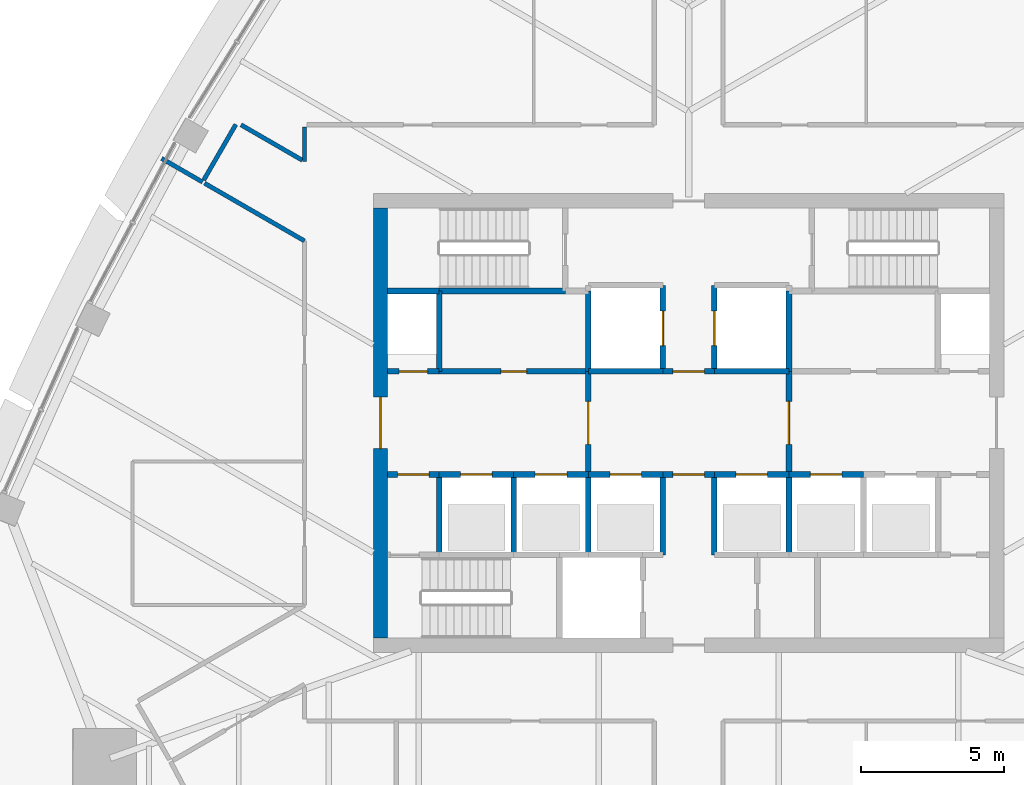
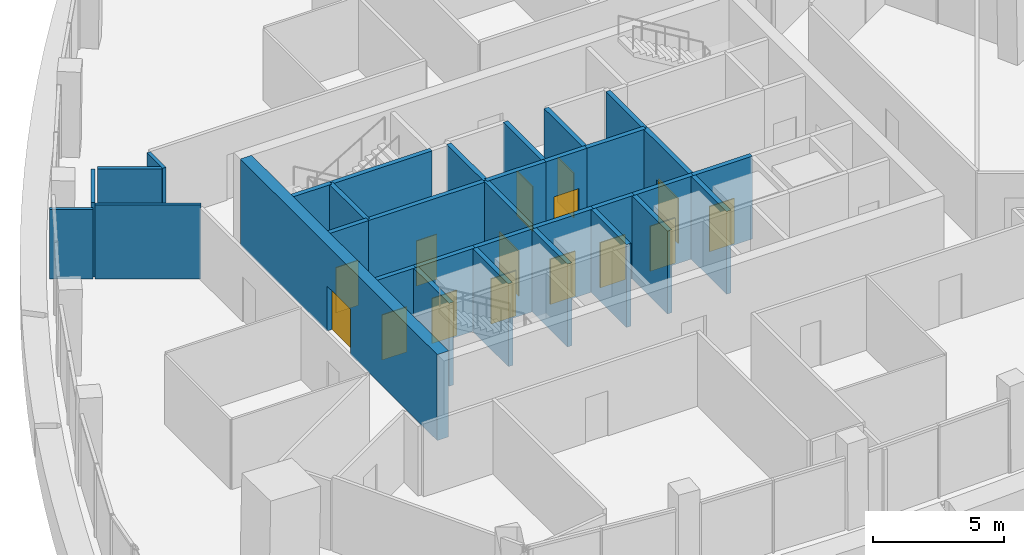
# One storey, part 9 of 15: 33 walls, 15 doors, 15 openings.
"""IFC4 building model written with IfcOpenShell, lengths in metres."""

from ifc_helpers import new_model, si_unit, direction, frame, frame_2d, origin, place, context, subcontext, project, spatial, rectangle, extrude, material, layer, layer_set, type_object, element, fill, save


model = new_model("IFC4")

# Units and contexts
model_context = context("Model", 3, precision=1e-05, world=origin(), true_north=direction((0.0, 1.0)))
body_context = subcontext(model_context, "Body", "Model", "MODEL_VIEW")
ifc_project = project(units=[si_unit("LENGTHUNIT", "METRE"), si_unit("AREAUNIT", "SQUARE_METRE"), si_unit("VOLUMEUNIT", "CUBIC_METRE"), si_unit("PLANEANGLEUNIT", "RADIAN"), si_unit("MASSUNIT", "GRAM", prefix="KILO")], contexts=[model_context])

# Site, building, storey
site_placement = place(None, origin())
site = spatial("IfcSite", under=ifc_project, at=site_placement, CompositionType="ELEMENT")
building_placement = place(site_placement, origin())
building = spatial("IfcBuilding", under=site, at=building_placement, Name="Sierra Prisma Convention Tower", CompositionType="ELEMENT")
storey_placement = place(building_placement, frame((0.0, 0.0, 299.0)))
storey = spatial("IfcBuildingStorey", under=building, at=storey_placement, Name="L68", CompositionType="ELEMENT", Elevation=299.0)

# Wall, opening, door
ifc_material_1 = material(Name="Concrete C30/37", Category="concrete")
ifc_layer_1 = layer(ifc_material_1, 0.199951171875)
ifc_layer_set_1 = layer_set([ifc_layer_1], Name="Core wall RC 200 C30/37")
wall_type_1 = type_object("IfcWallType", Name="Core wall RC 200 C30/37", PredefinedType="SOLIDWALL", material=ifc_layer_set_1)
wall_1_placement = place(storey_placement, frame((-10.5, -1.800048828125, 0.0), z_axis=(0.0, 0.0, 1.0), x_axis=(1.0, 0.0, 0.0)))
wall_1 = element("IfcWall", 1, at=wall_1_placement, inside=storey, type_object=wall_type_1, Name="Core wall L68 2", PredefinedType="SOLIDWALL", context=body_context, shape_type="SweptSolid", body=[
    extrude(rectangle(XDim=1.800048828125, YDim=0.199951171875, at=frame_2d((0.89990234375, 0.0))), origin(), (0.0, 0.0, 1.0), 3.85009765625),
])
opening_1_placement = place(wall_1_placement, frame((0.35009765625, 0.0, 0.0)))
opening_1 = element("IfcOpeningElement", 2, at=opening_1_placement, cuts=wall_1, Name="Opening L68-D012", PredefinedType="OPENING", context=body_context, shape_type="SweptSolid", body=[
    extrude(rectangle(XDim=1.10009765625, YDim=2.10009765625, at=frame_2d((0.550048828125, 1.050048828125))), frame((0.0, 0.10009765625, 0.0), z_axis=(0.0, -1.0, 0.0), x_axis=(1.0, 0.0, 0.0)), (0.0, 0.0, 1.0), 0.199951171875),
])
ifc_material_2 = material(Name="Steel fire door leaf", Category="steel")
door_type_1 = type_object("IfcDoorType", Name="Door 1100x2100 FD90S", OperationType="SINGLE_SWING_LEFT", PredefinedType="DOOR", material=ifc_material_2)
door_1_placement = place(opening_1_placement, origin())
door_1 = element("IfcDoor", 3, at=door_1_placement, inside=storey, type_object=door_type_1, Name="Door L68 25", OperationType="SINGLE_SWING_RIGHT", OverallHeight=2.10009765625, OverallWidth=1.10009765625, PredefinedType="DOOR", context=body_context, shape_type="SweptSolid", body=[
    extrude(rectangle(XDim=1.10009765625, YDim=2.10009765625, at=frame_2d((0.550048828125, 1.050048828125))), frame((0.0, 0.02490234375, 0.0), z_axis=(0.0, -1.0, 0.0), x_axis=(1.0, 0.0, 0.0)), (0.0, 0.0, 1.0), 0.050048828125),
])
fill(opening_1, door_1)

wall_2_placement = place(storey_placement, frame((-8.699951171875, 1.800048828125, 0.0), z_axis=(0.0, 0.0, 1.0), x_axis=(-1.0, 0.0, 0.0)))
wall_2 = element("IfcWall", 4, at=wall_2_placement, inside=storey, type_object=wall_type_1, Name="Core wall L68 3", PredefinedType="SOLIDWALL", context=body_context, shape_type="SweptSolid", body=[
    extrude(rectangle(XDim=1.800048828125, YDim=0.199951171875, at=frame_2d((0.89990234375, 0.0))), origin(), (0.0, 0.0, 1.0), 3.85009765625),
])
opening_2_placement = place(wall_2_placement, frame((0.39990234375, 0.0, 0.0)))
opening_2 = element("IfcOpeningElement", 5, at=opening_2_placement, cuts=wall_2, Name="Opening L68-D015", PredefinedType="OPENING", context=body_context, shape_type="SweptSolid", body=[
    extrude(rectangle(XDim=1.0, YDim=2.10009765625, at=frame_2d((0.5, 1.050048828125))), frame((0.0, 0.10009765625, 0.0), z_axis=(0.0, -1.0, 0.0), x_axis=(1.0, 0.0, 0.0)), (0.0, 0.0, 1.0), 0.199951171875),
])
ifc_material_3 = material(Name="Steel fire door leaf", Category="steel")
door_type_2 = type_object("IfcDoorType", Name="Door 1000x2100 FD60S", OperationType="SINGLE_SWING_LEFT", PredefinedType="DOOR", material=ifc_material_3)
door_2_placement = place(opening_2_placement, origin())
door_2 = element("IfcDoor", 6, at=door_2_placement, inside=storey, type_object=door_type_2, Name="Door L68 28", OperationType="SINGLE_SWING_LEFT", OverallHeight=2.10009765625, OverallWidth=1.0, PredefinedType="DOOR", context=body_context, shape_type="SweptSolid", body=[
    extrude(rectangle(XDim=1.0, YDim=2.10009765625, at=frame_2d((0.5, 1.050048828125))), frame((0.0, 0.02490234375, 0.0), z_axis=(0.0, -1.0, 0.0), x_axis=(1.0, 0.0, 0.0)), (0.0, 0.0, 1.0), 0.050048828125),
])
fill(opening_2, door_2)

# Walls
wall_3_placement = place(storey_placement, frame((-8.699951171875, 4.60009765625, 0.0), z_axis=(0.0, 0.0, 1.0), x_axis=(-1.0, 0.0, 0.0)))
element("IfcWall", 7, at=wall_3_placement, inside=storey, type_object=wall_type_1, Name="Core wall L68 4", PredefinedType="SOLIDWALL", context=body_context, shape_type="SweptSolid", body=[
    extrude(rectangle(XDim=1.800048828125, YDim=0.199951171875, at=frame_2d((0.89990234375, 0.0))), origin(), (0.0, 0.0, 1.0), 3.85009765625),
])
wall_4_placement = place(storey_placement, frame((-8.699951171875, -4.60009765625, 0.0), z_axis=(0.0, 0.0, 1.0), x_axis=(0.0, 1.0, 0.0)))
element("IfcWall", 8, at=wall_4_placement, inside=storey, type_object=wall_type_1, Name="Core wall L68 6", PredefinedType="SOLIDWALL", context=body_context, shape_type="SweptSolid", body=[
    extrude(rectangle(XDim=2.800048828125, YDim=0.199951171875, at=frame_2d((1.39990234375, 0.0))), origin(), (0.0, 0.0, 1.0), 3.85009765625),
])

# Wall, opening, door
wall_5_placement = place(storey_placement, frame((-8.699951171875, -1.800048828125, 0.0), z_axis=(0.0, 0.0, 1.0), x_axis=(1.0, 0.0, 0.0)))
wall_5 = element("IfcWall", 9, at=wall_5_placement, inside=storey, type_object=wall_type_1, Name="Core wall L68 7", PredefinedType="SOLIDWALL", context=body_context, shape_type="SweptSolid", body=[
    extrude(rectangle(XDim=2.599853515625, YDim=0.199951171875, at=frame_2d((1.2998046875, 0.0))), origin(), (0.0, 0.0, 1.0), 3.85009765625),
])
opening_3_placement = place(wall_5_placement, frame((0.75, 0.0, 0.0)))
opening_3 = element("IfcOpeningElement", 10, at=opening_3_placement, cuts=wall_5, Name="Opening L68-D001", PredefinedType="OPENING", context=body_context, shape_type="SweptSolid", body=[
    extrude(rectangle(XDim=1.10009765625, YDim=2.10009765625, at=frame_2d((0.550048828125, 1.050048828125))), frame((0.0, 0.10009765625, 0.0), z_axis=(0.0, -1.0, 0.0), x_axis=(1.0, 0.0, 0.0)), (0.0, 0.0, 1.0), 0.199951171875),
])
ifc_material_4 = material(Name="Steel fire door leaf", Category="steel")
door_type_3 = type_object("IfcDoorType", Name="Door 1100x2100 EI 90 sliding lift landing", OperationType="SLIDING_TO_LEFT", PredefinedType="DOOR", material=ifc_material_4)
door_3_placement = place(opening_3_placement, origin())
door_3 = element("IfcDoor", 11, at=door_3_placement, inside=storey, type_object=door_type_3, Name="Door L68 14", OperationType="SLIDING_TO_LEFT", OverallHeight=2.10009765625, OverallWidth=1.10009765625, PredefinedType="DOOR", context=body_context, shape_type="SweptSolid", body=[
    extrude(rectangle(XDim=1.10009765625, YDim=2.10009765625, at=frame_2d((0.550048828125, 1.050048828125))), frame((0.0, 0.02490234375, 0.0), z_axis=(0.0, -1.0, 0.0), x_axis=(1.0, 0.0, 0.0)), (0.0, 0.0, 1.0), 0.050048828125),
])
fill(opening_3, door_3)

wall_6_placement = place(storey_placement, frame((-8.699951171875, 1.800048828125, 0.0), z_axis=(0.0, 0.0, 1.0), x_axis=(1.0, 0.0, 0.0)))
wall_6 = element("IfcWall", 12, at=wall_6_placement, inside=storey, type_object=wall_type_1, Name="Core wall L68 8", PredefinedType="SOLIDWALL", context=body_context, shape_type="SweptSolid", body=[
    extrude(rectangle(XDim=5.199951171875, YDim=0.199951171875, at=frame_2d((2.60009765625, 0.0))), origin(), (0.0, 0.0, 1.0), 3.85009765625),
])
opening_4_placement = place(wall_6_placement, frame((2.14990234375, 0.0, 0.0)))
opening_4 = element("IfcOpeningElement", 13, at=opening_4_placement, cuts=wall_6, Name="Opening L68-D021", PredefinedType="OPENING", context=body_context, shape_type="SweptSolid", body=[
    extrude(rectangle(XDim=0.89990234375, YDim=2.10009765625, at=frame_2d((0.449951171875, 1.050048828125))), frame((0.0, 0.10009765625, 0.0), z_axis=(0.0, -1.0, 0.0), x_axis=(1.0, 0.0, 0.0)), (0.0, 0.0, 1.0), 0.199951171875),
])
ifc_material_5 = material(Name="Steel fire door leaf", Category="steel")
door_type_4 = type_object("IfcDoorType", Name="Door 900x2100 FD30S", OperationType="SINGLE_SWING_LEFT", PredefinedType="DOOR", material=ifc_material_5)
door_4_placement = place(opening_4_placement, origin())
door_4 = element("IfcDoor", 14, at=door_4_placement, inside=storey, type_object=door_type_4, Name="Door L68 34", OperationType="SINGLE_SWING_LEFT", OverallHeight=2.10009765625, OverallWidth=0.89990234375, PredefinedType="DOOR", context=body_context, shape_type="SweptSolid", body=[
    extrude(rectangle(XDim=0.89990234375, YDim=2.10009765625, at=frame_2d((0.449951171875, 1.050048828125))), frame((0.0, 0.02490234375, 0.0), z_axis=(0.0, -1.0, 0.0), x_axis=(1.0, 0.0, 0.0)), (0.0, 0.0, 1.0), 0.050048828125),
])
fill(opening_4, door_4)

# Walls
wall_7_placement = place(storey_placement, frame((-8.699951171875, 4.60009765625, 0.0), z_axis=(0.0, 0.0, 1.0), x_axis=(0.0, -1.0, 0.0)))
element("IfcWall", 15, at=wall_7_placement, inside=storey, type_object=wall_type_1, Name="Core wall L68 9", PredefinedType="SOLIDWALL", context=body_context, shape_type="SweptSolid", body=[
    extrude(rectangle(XDim=2.800048828125, YDim=0.199951171875, at=frame_2d((1.39990234375, 0.0))), origin(), (0.0, 0.0, 1.0), 3.85009765625),
])
wall_8_placement = place(storey_placement, frame((-4.300048828125, 4.60009765625, 0.0), z_axis=(0.0, 0.0, 1.0), x_axis=(-1.0, 0.0, 0.0)))
element("IfcWall", 16, at=wall_8_placement, inside=storey, type_object=wall_type_1, Name="Core wall L68 10", PredefinedType="SOLIDWALL", context=body_context, shape_type="SweptSolid", body=[
    extrude(rectangle(XDim=4.39990234375, YDim=0.199951171875, at=frame_2d((2.199951171875, 0.0))), origin(), (0.0, 0.0, 1.0), 3.85009765625),
])
wall_9_placement = place(storey_placement, frame((-6.10009765625, -4.60009765625, 0.0), z_axis=(0.0, 0.0, 1.0), x_axis=(0.0, 1.0, 0.0)))
element("IfcWall", 17, at=wall_9_placement, inside=storey, type_object=wall_type_1, Name="Core wall L68 12", PredefinedType="SOLIDWALL", context=body_context, shape_type="SweptSolid", body=[
    extrude(rectangle(XDim=2.800048828125, YDim=0.199951171875, at=frame_2d((1.39990234375, 0.0))), origin(), (0.0, 0.0, 1.0), 3.85009765625),
])

# Wall, opening, door
wall_10_placement = place(storey_placement, frame((-6.10009765625, -1.800048828125, 0.0), z_axis=(0.0, 0.0, 1.0), x_axis=(1.0, 0.0, 0.0)))
wall_10 = element("IfcWall", 18, at=wall_10_placement, inside=storey, type_object=wall_type_1, Name="Core wall L68 13", PredefinedType="SOLIDWALL", context=body_context, shape_type="SweptSolid", body=[
    extrude(rectangle(XDim=2.60009765625, YDim=0.199951171875, at=frame_2d((1.300048828125, 0.0))), origin(), (0.0, 0.0, 1.0), 3.85009765625),
])
opening_5_placement = place(wall_10_placement, frame((0.75, 0.0, 0.0)))
opening_5 = element("IfcOpeningElement", 19, at=opening_5_placement, cuts=wall_10, Name="Opening L68-D002", PredefinedType="OPENING", context=body_context, shape_type="SweptSolid", body=[
    extrude(rectangle(XDim=1.10009765625, YDim=2.10009765625, at=frame_2d((0.550048828125, 1.050048828125))), frame((0.0, 0.10009765625, 0.0), z_axis=(0.0, -1.0, 0.0), x_axis=(1.0, 0.0, 0.0)), (0.0, 0.0, 1.0), 0.199951171875),
])
door_5_placement = place(opening_5_placement, origin())
door_5 = element("IfcDoor", 20, at=door_5_placement, inside=storey, type_object=door_type_3, Name="Door L68 15", OperationType="SLIDING_TO_RIGHT", OverallHeight=2.10009765625, OverallWidth=1.10009765625, PredefinedType="DOOR", context=body_context, shape_type="SweptSolid", body=[
    extrude(rectangle(XDim=1.10009765625, YDim=2.10009765625, at=frame_2d((0.550048828125, 1.050048828125))), frame((0.0, 0.02490234375, 0.0), z_axis=(0.0, -1.0, 0.0), x_axis=(1.0, 0.0, 0.0)), (0.0, 0.0, 1.0), 0.050048828125),
])
fill(opening_5, door_5)

# Wall
wall_11_placement = place(storey_placement, frame((-3.5, -4.60009765625, 0.0), z_axis=(0.0, 0.0, 1.0), x_axis=(0.0, 1.0, 0.0)))
element("IfcWall", 21, at=wall_11_placement, inside=storey, type_object=wall_type_1, Name="Core wall L68 19", PredefinedType="SOLIDWALL", context=body_context, shape_type="SweptSolid", body=[
    extrude(rectangle(XDim=2.800048828125, YDim=0.199951171875, at=frame_2d((1.39990234375, 0.0))), origin(), (0.0, 0.0, 1.0), 3.85009765625),
])

# Wall, opening, door
wall_12_placement = place(storey_placement, frame((-3.5, -1.800048828125, 0.0), z_axis=(0.0, 0.0, 1.0), x_axis=(1.0, 0.0, 0.0)))
wall_12 = element("IfcWall", 22, at=wall_12_placement, inside=storey, type_object=wall_type_1, Name="Core wall L68 20", PredefinedType="SOLIDWALL", context=body_context, shape_type="SweptSolid", body=[
    extrude(rectangle(XDim=2.60009765625, YDim=0.199951171875, at=frame_2d((1.300048828125, 0.0))), origin(), (0.0, 0.0, 1.0), 3.85009765625),
])
opening_6_placement = place(wall_12_placement, frame((0.75, 0.0, 0.0)))
opening_6 = element("IfcOpeningElement", 23, at=opening_6_placement, cuts=wall_12, Name="Opening L68-D003", PredefinedType="OPENING", context=body_context, shape_type="SweptSolid", body=[
    extrude(rectangle(XDim=1.10009765625, YDim=2.10009765625, at=frame_2d((0.550048828125, 1.050048828125))), frame((0.0, 0.10009765625, 0.0), z_axis=(0.0, -1.0, 0.0), x_axis=(1.0, 0.0, 0.0)), (0.0, 0.0, 1.0), 0.199951171875),
])
door_6_placement = place(opening_6_placement, origin())
door_6 = element("IfcDoor", 24, at=door_6_placement, inside=storey, type_object=door_type_3, Name="Door L68 16", OperationType="SLIDING_TO_LEFT", OverallHeight=2.10009765625, OverallWidth=1.10009765625, PredefinedType="DOOR", context=body_context, shape_type="SweptSolid", body=[
    extrude(rectangle(XDim=1.10009765625, YDim=2.10009765625, at=frame_2d((0.550048828125, 1.050048828125))), frame((0.0, 0.02490234375, 0.0), z_axis=(0.0, -1.0, 0.0), x_axis=(1.0, 0.0, 0.0)), (0.0, 0.0, 1.0), 0.050048828125),
])
fill(opening_6, door_6)

wall_13_placement = place(storey_placement, frame((-3.5, 1.800048828125, 0.0), z_axis=(0.0, 0.0, 1.0), x_axis=(0.0, -1.0, 0.0)))
wall_13 = element("IfcWall", 25, at=wall_13_placement, inside=storey, type_object=wall_type_1, Name="Core wall L68 21", PredefinedType="SOLIDWALL", context=body_context, shape_type="SweptSolid", body=[
    extrude(rectangle(XDim=3.60009765625, YDim=0.199951171875, at=frame_2d((1.800048828125, 0.0))), origin(), (0.0, 0.0, 1.0), 3.85009765625),
])
opening_7_placement = place(wall_13_placement, frame((1.050048828125, 0.0, 0.0)))
opening_7 = element("IfcOpeningElement", 26, at=opening_7_placement, cuts=wall_13, Name="Opening L68-D010", PredefinedType="OPENING", context=body_context, shape_type="SweptSolid", body=[
    extrude(rectangle(XDim=1.5, YDim=2.10009765625, at=frame_2d((0.75, 1.050048828125))), frame((0.0, 0.10009765625, 0.0), z_axis=(0.0, -1.0, 0.0), x_axis=(1.0, 0.0, 0.0)), (0.0, 0.0, 1.0), 0.199951171875),
])
ifc_material_6 = material(Name="Steel fire door leaf", Category="steel")
door_type_5 = type_object("IfcDoorType", Name="Door 1500x2100 FD30S", OperationType="DOUBLE_DOOR_SINGLE_SWING", PredefinedType="DOOR", material=ifc_material_6)
door_7_placement = place(opening_7_placement, origin())
door_7 = element("IfcDoor", 27, at=door_7_placement, inside=storey, type_object=door_type_5, Name="Door L68 23", OperationType="DOUBLE_DOOR_SINGLE_SWING", OverallHeight=2.10009765625, OverallWidth=1.5, PredefinedType="DOOR", context=body_context, shape_type="SweptSolid", body=[
    extrude(rectangle(XDim=1.5, YDim=2.10009765625, at=frame_2d((0.75, 1.050048828125))), frame((0.0, 0.02490234375, 0.0), z_axis=(0.0, -1.0, 0.0), x_axis=(1.0, 0.0, 0.0)), (0.0, 0.0, 1.0), 0.050048828125),
])
fill(opening_7, door_7)

# Walls
wall_14_placement = place(storey_placement, frame((-0.89990234375, 1.800048828125, 0.0), z_axis=(0.0, 0.0, 1.0), x_axis=(-1.0, 0.0, 0.0)))
element("IfcWall", 28, at=wall_14_placement, inside=storey, type_object=wall_type_1, Name="Core wall L68 22", PredefinedType="SOLIDWALL", context=body_context, shape_type="SweptSolid", body=[
    extrude(rectangle(XDim=2.60009765625, YDim=0.199951171875, at=frame_2d((1.300048828125, 0.0))), origin(), (0.0, 0.0, 1.0), 3.85009765625),
])
wall_15_placement = place(storey_placement, frame((-3.5, 1.800048828125, 0.0), z_axis=(0.0, 0.0, 1.0), x_axis=(0.0, 1.0, 0.0)))
element("IfcWall", 29, at=wall_15_placement, inside=storey, type_object=wall_type_1, Name="Core wall L68 23", PredefinedType="SOLIDWALL", context=body_context, shape_type="SweptSolid", body=[
    extrude(rectangle(XDim=2.800048828125, YDim=0.199951171875, at=frame_2d((1.39990234375, 0.0))), origin(), (0.0, 0.0, 1.0), 3.85009765625),
])

# Wall, opening, door
wall_16_placement = place(storey_placement, frame((-0.89990234375, 1.800048828125, 0.0), z_axis=(0.0, 0.0, 1.0), x_axis=(0.0, 1.0, 0.0)))
wall_16 = element("IfcWall", 30, at=wall_16_placement, inside=storey, type_object=wall_type_1, Name="Core wall L68 24", PredefinedType="SOLIDWALL", context=body_context, shape_type="SweptSolid", body=[
    extrude(rectangle(XDim=3.0, YDim=0.199951171875, at=frame_2d((1.5, 0.0))), origin(), (0.0, 0.0, 1.0), 3.85009765625),
])
opening_8_placement = place(wall_16_placement, frame((0.89990234375, 0.0, 0.0)))
opening_8 = element("IfcOpeningElement", 31, at=opening_8_placement, cuts=wall_16, Name="Opening L68-D007", PredefinedType="OPENING", context=body_context, shape_type="SweptSolid", body=[
    extrude(rectangle(XDim=1.199951171875, YDim=2.10009765625, at=frame_2d((0.60009765625, 1.050048828125))), frame((0.0, 0.10009765625, 0.0), z_axis=(0.0, -1.0, 0.0), x_axis=(1.0, 0.0, 0.0)), (0.0, 0.0, 1.0), 0.199951171875),
])
ifc_material_7 = material(Name="Steel fire door leaf", Category="steel")
door_type_6 = type_object("IfcDoorType", Name="Door 1200x2100 EI 90 sliding lift landing", OperationType="SLIDING_TO_LEFT", PredefinedType="DOOR", material=ifc_material_7)
door_8_placement = place(opening_8_placement, origin())
door_8 = element("IfcDoor", 32, at=door_8_placement, inside=storey, type_object=door_type_6, Name="Door L68 20", OperationType="SLIDING_TO_LEFT", OverallHeight=2.10009765625, OverallWidth=1.199951171875, PredefinedType="DOOR", context=body_context, shape_type="SweptSolid", body=[
    extrude(rectangle(XDim=1.199951171875, YDim=2.10009765625, at=frame_2d((0.60009765625, 1.050048828125))), frame((0.0, 0.02490234375, 0.0), z_axis=(0.0, -1.0, 0.0), x_axis=(1.0, 0.0, 0.0)), (0.0, 0.0, 1.0), 0.050048828125),
])
fill(opening_8, door_8)

# Wall
wall_17_placement = place(storey_placement, frame((-0.89990234375, -4.60009765625, 0.0), z_axis=(0.0, 0.0, 1.0), x_axis=(0.0, 1.0, 0.0)))
element("IfcWall", 33, at=wall_17_placement, inside=storey, type_object=wall_type_1, Name="Core wall L68 29", PredefinedType="SOLIDWALL", context=body_context, shape_type="SweptSolid", body=[
    extrude(rectangle(XDim=2.800048828125, YDim=0.199951171875, at=frame_2d((1.39990234375, 0.0))), origin(), (0.0, 0.0, 1.0), 3.85009765625),
])

# Wall, opening, door
wall_18_placement = place(storey_placement, frame((-0.89990234375, -1.800048828125, 0.0), z_axis=(0.0, 0.0, 1.0), x_axis=(1.0, 0.0, 0.0)))
wall_18 = element("IfcWall", 34, at=wall_18_placement, inside=storey, type_object=wall_type_1, Name="Core wall L68 30", PredefinedType="SOLIDWALL", context=body_context, shape_type="SweptSolid", body=[
    extrude(rectangle(XDim=1.7998046875, YDim=0.199951171875, at=frame_2d((0.89990234375, 0.0))), origin(), (0.0, 0.0, 1.0), 3.85009765625),
])
opening_9_placement = place(wall_18_placement, frame((0.35009765625, 0.0, 0.0)))
opening_9 = element("IfcOpeningElement", 35, at=opening_9_placement, cuts=wall_18, Name="Opening L68-D014", PredefinedType="OPENING", context=body_context, shape_type="SweptSolid", body=[
    extrude(rectangle(XDim=1.10009765625, YDim=2.10009765625, at=frame_2d((0.550048828125, 1.050048828125))), frame((0.0, 0.10009765625, 0.0), z_axis=(0.0, -1.0, 0.0), x_axis=(1.0, 0.0, 0.0)), (0.0, 0.0, 1.0), 0.199951171875),
])
ifc_material_8 = material(Name="Steel fire door leaf", Category="steel")
door_type_7 = type_object("IfcDoorType", Name="Door 1100x2100 FD30S", OperationType="SINGLE_SWING_LEFT", PredefinedType="DOOR", material=ifc_material_8)
door_9_placement = place(opening_9_placement, origin())
door_9 = element("IfcDoor", 36, at=door_9_placement, inside=storey, type_object=door_type_7, Name="Door L68 27", OperationType="SINGLE_SWING_LEFT", OverallHeight=2.10009765625, OverallWidth=1.10009765625, PredefinedType="DOOR", context=body_context, shape_type="SweptSolid", body=[
    extrude(rectangle(XDim=1.10009765625, YDim=2.10009765625, at=frame_2d((0.550048828125, 1.050048828125))), frame((0.0, 0.02490234375, 0.0), z_axis=(0.0, -1.0, 0.0), x_axis=(1.0, 0.0, 0.0)), (0.0, 0.0, 1.0), 0.050048828125),
])
fill(opening_9, door_9)

wall_19_placement = place(storey_placement, frame((0.89990234375, 1.800048828125, 0.0), z_axis=(0.0, 0.0, 1.0), x_axis=(-1.0, 0.0, 0.0)))
wall_19 = element("IfcWall", 37, at=wall_19_placement, inside=storey, type_object=wall_type_1, Name="Core wall L68 31", PredefinedType="SOLIDWALL", context=body_context, shape_type="SweptSolid", body=[
    extrude(rectangle(XDim=1.7998046875, YDim=0.199951171875, at=frame_2d((0.89990234375, 0.0))), origin(), (0.0, 0.0, 1.0), 3.85009765625),
])
opening_10_placement = place(wall_19_placement, frame((0.35009765625, 0.0, 0.0)))
opening_10 = element("IfcOpeningElement", 38, at=opening_10_placement, cuts=wall_19, Name="Opening L68-D013", PredefinedType="OPENING", context=body_context, shape_type="SweptSolid", body=[
    extrude(rectangle(XDim=1.10009765625, YDim=2.10009765625, at=frame_2d((0.550048828125, 1.050048828125))), frame((0.0, 0.10009765625, 0.0), z_axis=(0.0, -1.0, 0.0), x_axis=(1.0, 0.0, 0.0)), (0.0, 0.0, 1.0), 0.199951171875),
])
ifc_material_9 = material(Name="Steel fire door leaf", Category="steel")
door_type_8 = type_object("IfcDoorType", Name="Door 1100x2100 FD60S", OperationType="SINGLE_SWING_LEFT", PredefinedType="DOOR", material=ifc_material_9)
door_10_placement = place(opening_10_placement, origin())
door_10 = element("IfcDoor", 39, at=door_10_placement, inside=storey, type_object=door_type_8, Name="Door L68 26", OperationType="SINGLE_SWING_RIGHT", OverallHeight=2.10009765625, OverallWidth=1.10009765625, PredefinedType="DOOR", context=body_context, shape_type="SweptSolid", body=[
    extrude(rectangle(XDim=1.10009765625, YDim=2.10009765625, at=frame_2d((0.550048828125, 1.050048828125))), frame((0.0, 0.02490234375, 0.0), z_axis=(0.0, -1.0, 0.0), x_axis=(1.0, 0.0, 0.0)), (0.0, 0.0, 1.0), 0.050048828125),
])
fill(opening_10, door_10)

wall_20_placement = place(storey_placement, frame((0.89990234375, -1.800048828125, 0.0), z_axis=(0.0, 0.0, 1.0), x_axis=(1.0, 0.0, 0.0)))
wall_20 = element("IfcWall", 40, at=wall_20_placement, inside=storey, type_object=wall_type_1, Name="Core wall L68 32", PredefinedType="SOLIDWALL", context=body_context, shape_type="SweptSolid", body=[
    extrude(rectangle(XDim=2.60009765625, YDim=0.199951171875, at=frame_2d((1.300048828125, 0.0))), origin(), (0.0, 0.0, 1.0), 3.85009765625),
])
opening_11_placement = place(wall_20_placement, frame((0.75, 0.0, 0.0)))
opening_11 = element("IfcOpeningElement", 41, at=opening_11_placement, cuts=wall_20, Name="Opening L68-D004", PredefinedType="OPENING", context=body_context, shape_type="SweptSolid", body=[
    extrude(rectangle(XDim=1.10009765625, YDim=2.10009765625, at=frame_2d((0.550048828125, 1.050048828125))), frame((0.0, 0.10009765625, 0.0), z_axis=(0.0, -1.0, 0.0), x_axis=(1.0, 0.0, 0.0)), (0.0, 0.0, 1.0), 0.199951171875),
])
door_11_placement = place(opening_11_placement, origin())
door_11 = element("IfcDoor", 42, at=door_11_placement, inside=storey, type_object=door_type_3, Name="Door L68 17", OperationType="SLIDING_TO_LEFT", OverallHeight=2.10009765625, OverallWidth=1.10009765625, PredefinedType="DOOR", context=body_context, shape_type="SweptSolid", body=[
    extrude(rectangle(XDim=1.10009765625, YDim=2.10009765625, at=frame_2d((0.550048828125, 1.050048828125))), frame((0.0, 0.02490234375, 0.0), z_axis=(0.0, -1.0, 0.0), x_axis=(1.0, 0.0, 0.0)), (0.0, 0.0, 1.0), 0.050048828125),
])
fill(opening_11, door_11)

# Walls
wall_21_placement = place(storey_placement, frame((0.89990234375, -1.800048828125, 0.0), z_axis=(0.0, 0.0, 1.0), x_axis=(0.0, -1.0, 0.0)))
element("IfcWall", 43, at=wall_21_placement, inside=storey, type_object=wall_type_1, Name="Core wall L68 33", PredefinedType="SOLIDWALL", context=body_context, shape_type="SweptSolid", body=[
    extrude(rectangle(XDim=2.800048828125, YDim=0.199951171875, at=frame_2d((1.39990234375, 0.0))), origin(), (0.0, 0.0, 1.0), 3.85009765625),
])
wall_22_placement = place(storey_placement, frame((3.5, 1.800048828125, 0.0), z_axis=(0.0, 0.0, 1.0), x_axis=(-1.0, 0.0, 0.0)))
element("IfcWall", 44, at=wall_22_placement, inside=storey, type_object=wall_type_1, Name="Core wall L68 35", PredefinedType="SOLIDWALL", context=body_context, shape_type="SweptSolid", body=[
    extrude(rectangle(XDim=2.60009765625, YDim=0.199951171875, at=frame_2d((1.300048828125, 0.0))), origin(), (0.0, 0.0, 1.0), 3.85009765625),
])

# Wall, opening, door
wall_23_placement = place(storey_placement, frame((0.89990234375, 4.800048828125, 0.0), z_axis=(0.0, 0.0, 1.0), x_axis=(0.0, -1.0, 0.0)))
wall_23 = element("IfcWall", 45, at=wall_23_placement, inside=storey, type_object=wall_type_1, Name="Core wall L68 38", PredefinedType="SOLIDWALL", context=body_context, shape_type="SweptSolid", body=[
    extrude(rectangle(XDim=3.0, YDim=0.199951171875, at=frame_2d((1.5, 0.0))), origin(), (0.0, 0.0, 1.0), 3.85009765625),
])
opening_12_placement = place(wall_23_placement, frame((0.89990234375, 0.0, 0.0)))
opening_12 = element("IfcOpeningElement", 46, at=opening_12_placement, cuts=wall_23, Name="Opening L68-D008", PredefinedType="OPENING", context=body_context, shape_type="SweptSolid", body=[
    extrude(rectangle(XDim=1.199951171875, YDim=2.10009765625, at=frame_2d((0.60009765625, 1.050048828125))), frame((0.0, 0.10009765625, 0.0), z_axis=(0.0, -1.0, 0.0), x_axis=(1.0, 0.0, 0.0)), (0.0, 0.0, 1.0), 0.199951171875),
])
door_12_placement = place(opening_12_placement, origin())
door_12 = element("IfcDoor", 47, at=door_12_placement, inside=storey, type_object=door_type_6, Name="Door L68 21", OperationType="SLIDING_TO_RIGHT", OverallHeight=2.10009765625, OverallWidth=1.199951171875, PredefinedType="DOOR", context=body_context, shape_type="SweptSolid", body=[
    extrude(rectangle(XDim=1.199951171875, YDim=2.10009765625, at=frame_2d((0.60009765625, 1.050048828125))), frame((0.0, 0.02490234375, 0.0), z_axis=(0.0, -1.0, 0.0), x_axis=(1.0, 0.0, 0.0)), (0.0, 0.0, 1.0), 0.050048828125),
])
fill(opening_12, door_12)

# Wall
wall_24_placement = place(storey_placement, frame((3.5, -4.60009765625, 0.0), z_axis=(0.0, 0.0, 1.0), x_axis=(0.0, 1.0, 0.0)))
element("IfcWall", 48, at=wall_24_placement, inside=storey, type_object=wall_type_1, Name="Core wall L68 42", PredefinedType="SOLIDWALL", context=body_context, shape_type="SweptSolid", body=[
    extrude(rectangle(XDim=2.800048828125, YDim=0.199951171875, at=frame_2d((1.39990234375, 0.0))), origin(), (0.0, 0.0, 1.0), 3.85009765625),
])

# Wall, opening, door
wall_25_placement = place(storey_placement, frame((3.5, -1.800048828125, 0.0), z_axis=(0.0, 0.0, 1.0), x_axis=(1.0, 0.0, 0.0)))
wall_25 = element("IfcWall", 49, at=wall_25_placement, inside=storey, type_object=wall_type_1, Name="Core wall L68 43", PredefinedType="SOLIDWALL", context=body_context, shape_type="SweptSolid", body=[
    extrude(rectangle(XDim=2.60009765625, YDim=0.199951171875, at=frame_2d((1.300048828125, 0.0))), origin(), (0.0, 0.0, 1.0), 3.85009765625),
])
opening_13_placement = place(wall_25_placement, frame((0.75, 0.0, 0.0)))
opening_13 = element("IfcOpeningElement", 50, at=opening_13_placement, cuts=wall_25, Name="Opening L68-D005", PredefinedType="OPENING", context=body_context, shape_type="SweptSolid", body=[
    extrude(rectangle(XDim=1.10009765625, YDim=2.10009765625, at=frame_2d((0.550048828125, 1.050048828125))), frame((0.0, 0.10009765625, 0.0), z_axis=(0.0, -1.0, 0.0), x_axis=(1.0, 0.0, 0.0)), (0.0, 0.0, 1.0), 0.199951171875),
])
door_13_placement = place(opening_13_placement, origin())
door_13 = element("IfcDoor", 51, at=door_13_placement, inside=storey, type_object=door_type_3, Name="Door L68 18", OperationType="SLIDING_TO_LEFT", OverallHeight=2.10009765625, OverallWidth=1.10009765625, PredefinedType="DOOR", context=body_context, shape_type="SweptSolid", body=[
    extrude(rectangle(XDim=1.10009765625, YDim=2.10009765625, at=frame_2d((0.550048828125, 1.050048828125))), frame((0.0, 0.02490234375, 0.0), z_axis=(0.0, -1.0, 0.0), x_axis=(1.0, 0.0, 0.0)), (0.0, 0.0, 1.0), 0.050048828125),
])
fill(opening_13, door_13)

wall_26_placement = place(storey_placement, frame((3.5, -1.800048828125, 0.0), z_axis=(0.0, 0.0, 1.0), x_axis=(0.0, 1.0, 0.0)))
wall_26 = element("IfcWall", 52, at=wall_26_placement, inside=storey, type_object=wall_type_1, Name="Core wall L68 44", PredefinedType="SOLIDWALL", context=body_context, shape_type="SweptSolid", body=[
    extrude(rectangle(XDim=3.60009765625, YDim=0.199951171875, at=frame_2d((1.800048828125, 0.0))), origin(), (0.0, 0.0, 1.0), 3.85009765625),
])
opening_14_placement = place(wall_26_placement, frame((1.050048828125, 0.0, 0.0)))
opening_14 = element("IfcOpeningElement", 53, at=opening_14_placement, cuts=wall_26, Name="Opening L68-D011", PredefinedType="OPENING", context=body_context, shape_type="SweptSolid", body=[
    extrude(rectangle(XDim=1.5, YDim=2.10009765625, at=frame_2d((0.75, 1.050048828125))), frame((0.0, 0.10009765625, 0.0), z_axis=(0.0, -1.0, 0.0), x_axis=(1.0, 0.0, 0.0)), (0.0, 0.0, 1.0), 0.199951171875),
])
door_14_placement = place(opening_14_placement, origin())
door_14 = element("IfcDoor", 54, at=door_14_placement, inside=storey, type_object=door_type_5, Name="Door L68 24", OperationType="DOUBLE_DOOR_SINGLE_SWING", OverallHeight=2.10009765625, OverallWidth=1.5, PredefinedType="DOOR", context=body_context, shape_type="SweptSolid", body=[
    extrude(rectangle(XDim=1.5, YDim=2.10009765625, at=frame_2d((0.75, 1.050048828125))), frame((0.0, 0.02490234375, 0.0), z_axis=(0.0, -1.0, 0.0), x_axis=(1.0, 0.0, 0.0)), (0.0, 0.0, 1.0), 0.050048828125),
])
fill(opening_14, door_14)

# Wall
wall_27_placement = place(storey_placement, frame((3.5, 4.60009765625, 0.0), z_axis=(0.0, 0.0, 1.0), x_axis=(0.0, -1.0, 0.0)))
element("IfcWall", 55, at=wall_27_placement, inside=storey, type_object=wall_type_1, Name="Core wall L68 46", PredefinedType="SOLIDWALL", context=body_context, shape_type="SweptSolid", body=[
    extrude(rectangle(XDim=2.800048828125, YDim=0.199951171875, at=frame_2d((1.39990234375, 0.0))), origin(), (0.0, 0.0, 1.0), 3.85009765625),
])

# Wall, opening, door
ifc_material_10 = material(Name="Concrete C50/60", Category="concrete")
ifc_layer_2 = layer(ifc_material_10, 0.5)
ifc_layer_set_2 = layer_set([ifc_layer_2], Name="Core wall RC 500 C50/60")
wall_type_2 = type_object("IfcWallType", Name="Core wall RC 500 C50/60", PredefinedType="SHEAR", material=ifc_layer_set_2)
wall_28_placement = place(storey_placement, frame((-10.75, -7.5, 0.0), z_axis=(0.0, 0.0, 1.0), x_axis=(0.0, 1.0, 0.0)))
wall_28 = element("IfcWall", 56, at=wall_28_placement, inside=storey, type_object=wall_type_2, Name="Core wall W L68", PredefinedType="SHEAR", context=body_context, shape_type="SweptSolid", body=[
    extrude(rectangle(XDim=15.0, YDim=0.5, at=frame_2d((7.5, 0.0))), origin(), (0.0, 0.0, 1.0), 4.0),
])
opening_15_placement = place(wall_28_placement, frame((6.60009765625, 0.0, 0.0)))
opening_15 = element("IfcOpeningElement", 57, at=opening_15_placement, cuts=wall_28, Name="Opening L68-D041", PredefinedType="OPENING", context=body_context, shape_type="SweptSolid", body=[
    extrude(rectangle(XDim=1.800048828125, YDim=2.10009765625, at=frame_2d((0.89990234375, 1.050048828125))), frame((0.0, 0.25, 0.0), z_axis=(0.0, -1.0, 0.0), x_axis=(1.0, 0.0, 0.0)), (0.0, 0.0, 1.0), 0.5),
])
ifc_material_11 = material(Name="Steel fire door leaf", Category="steel")
door_type_9 = type_object("IfcDoorType", Name="Door 1800x2100 FD60S", OperationType="DOUBLE_DOOR_SINGLE_SWING", PredefinedType="DOOR", material=ifc_material_11)
door_15_placement = place(opening_15_placement, origin())
door_15 = element("IfcDoor", 58, at=door_15_placement, inside=storey, type_object=door_type_9, Name="Door L68 38", OperationType="DOUBLE_DOOR_SINGLE_SWING", OverallHeight=2.10009765625, OverallWidth=1.800048828125, PredefinedType="DOOR", context=body_context, shape_type="SweptSolid", body=[
    extrude(rectangle(XDim=1.800048828125, YDim=2.10009765625, at=frame_2d((0.89990234375, 1.050048828125))), frame((0.0, 0.02490234375, 0.0), z_axis=(0.0, -1.0, 0.0), x_axis=(1.0, 0.0, 0.0)), (0.0, 0.0, 1.0), 0.050048828125),
])
fill(opening_15, door_15)

# Walls
ifc_material_12 = material(Name="Gypsum board partition", Category="gypsum")
ifc_layer_3 = layer(ifc_material_12, 0.14990234375)
ifc_layer_set_3 = layer_set([ifc_layer_3], Name="Corridor wall 150 gypsum EI 60")
wall_type_3 = type_object("IfcWallType", Name="Corridor wall 150 gypsum EI 60", PredefinedType="PARTITIONING", material=ifc_layer_set_3)
wall_29_placement = place(storey_placement, frame((-16.88623046875, 8.363525390625, 0.0), z_axis=(0.0, 0.0, 1.0), x_axis=(0.866040157966, -0.499974444137, 0.0)))
element("IfcWall", 59, at=wall_29_placement, inside=storey, type_object=wall_type_3, Name="Partition L68 corr 2", PredefinedType="PARTITIONING", context=body_context, shape_type="SweptSolid", body=[
    extrude(rectangle(XDim=4.025634765625, YDim=0.14990234375, at=frame_2d((2.0126953125, 0.0))), origin(), (0.0, 0.0, 1.0), 3.449951171875),
])
wall_30_placement = place(storey_placement, frame((-15.79541015625, 10.412841796875, 0.0), z_axis=(0.0, 0.0, 1.0), x_axis=(-0.500030632641, -0.866007717299, 0.0)))
element("IfcWall", 60, at=wall_30_placement, inside=storey, type_object=wall_type_3, Name="Partition L68 corr 7", PredefinedType="PARTITIONING", context=body_context, shape_type="SweptSolid", body=[
    extrude(rectangle(XDim=2.239990234375, YDim=0.14990234375, at=frame_2d((1.1201171875, 0.0))), origin(), (0.0, 0.0, 1.0), 3.449951171875),
])
wall_31_placement = place(storey_placement, frame((-13.39990234375, 10.320068359375, 0.0), z_axis=(0.0, 0.0, 1.0), x_axis=(0.0, -1.0, 0.0)))
element("IfcWall", 61, at=wall_31_placement, inside=storey, type_object=wall_type_3, Name="Partition L68 corr 8", PredefinedType="PARTITIONING", context=body_context, shape_type="SweptSolid", body=[
    extrude(rectangle(XDim=1.197998046875, YDim=0.14990234375, at=frame_2d((0.59912109375, 0.0))), origin(), (0.0, 0.0, 1.0), 3.449951171875),
])
wall_32_placement = place(storey_placement, frame((-13.479248046875, 9.16796875, 0.0), z_axis=(0.0, 0.0, 1.0), x_axis=(-0.866051946521, 0.499954023813, 0.0)))
element("IfcWall", 62, at=wall_32_placement, inside=storey, type_object=wall_type_3, Name="Partition L68 corr 9", PredefinedType="PARTITIONING", context=body_context, shape_type="SweptSolid", body=[
    extrude(rectangle(XDim=2.464111328125, YDim=0.14990234375, at=frame_2d((1.23193359375, 0.0))), origin(), (0.0, 0.0, 1.0), 3.449951171875),
])
ifc_material_13 = material(Name="Gypsum board partition", Category="gypsum")
ifc_layer_4 = layer(ifc_material_13, 0.14990234375)
ifc_layer_set_4 = layer_set([ifc_layer_4], Name="Party wall 150 gypsum")
wall_type_4 = type_object("IfcWallType", Name="Party wall 150 gypsum", PredefinedType="PARTITIONING", material=ifc_layer_set_4)
wall_33_placement = place(storey_placement, frame((-16.95556640625, 8.403564453125, 0.0), z_axis=(0.0, 0.0, 1.0), x_axis=(-0.865983361098, 0.500072813, 0.0)))
element("IfcWall", 63, at=wall_33_placement, inside=storey, type_object=wall_type_4, Name="Partition L68 party 1", PredefinedType="PARTITIONING", context=body_context, shape_type="SweptSolid", body=[
    extrude(rectangle(XDim=1.648681640625, YDim=0.14990234375, at=frame_2d((0.82421875, 0.0))), origin(), (0.0, 0.0, 1.0), 3.23388671875),
])

save(model, "model.ifc")
